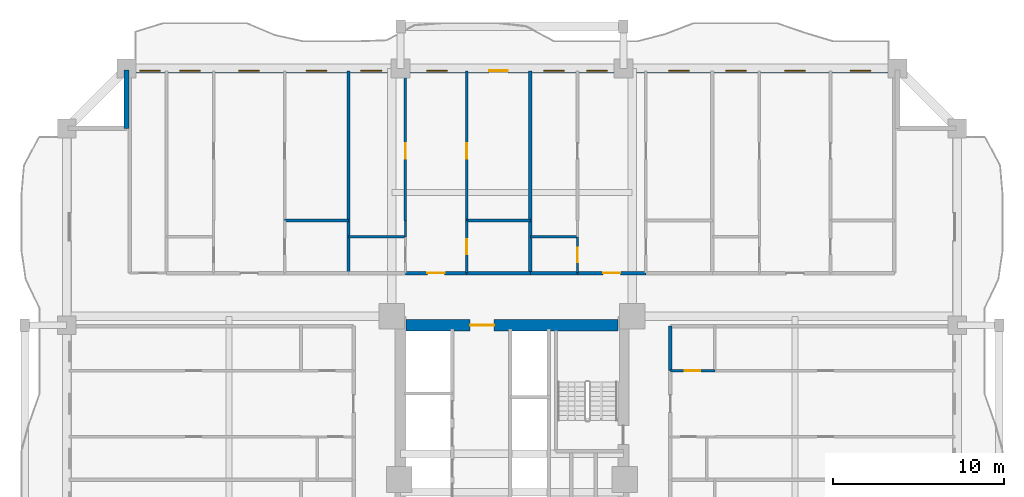
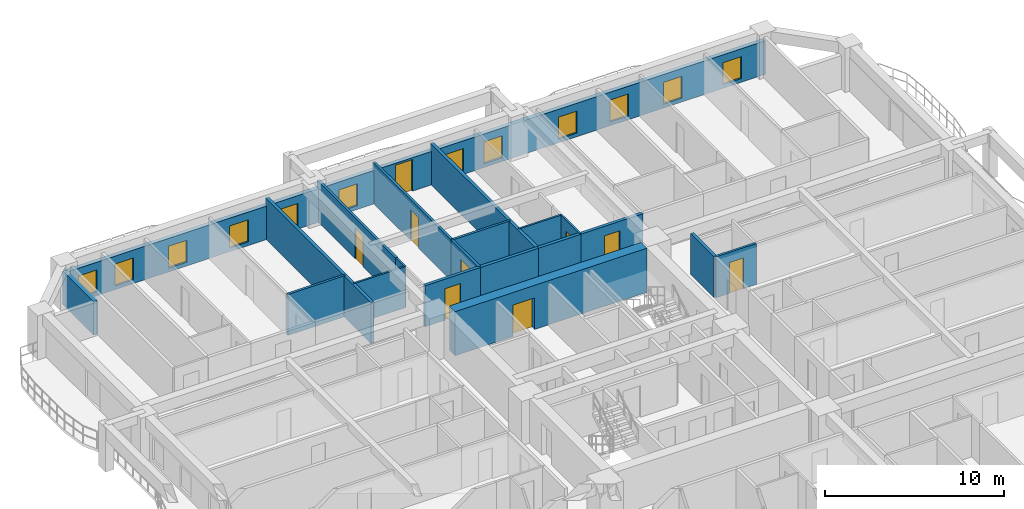
# One storey, part 7 of 16: 20 walls, 12 windows, 9 doors, 21 openings.
"""IFC4 building model written with IfcOpenShell, lengths in metres."""

import ifcopenshell
import ifcopenshell.guid

model = None  # the IFC model being written
_history = None  # IfcOwnerHistory: only IFC2X3 demands one
_inside = {}  # id of a spatial element -> (the spatial element, [elements in it])
_under = {}  # id of a project, library or spatial element -> (it, [spatial elements below it])
_declared = {}  # id of a project -> (the project, [libraries it declares])
_typed = {}  # id of a type object -> (the type object, [elements of that type])
_made_of = {}  # id of a material, layer set ... -> (it, [elements and type objects made of it])


def new_model(schema):
    """Start an empty IFC model of exactly this schema.

    Asked for "IFC4X3", IfcOpenShell would pick the latest addendum, in which some entities
    have other attributes; the version numbers below select the first issue.
    IFC2X3 requires an IfcOwnerHistory on every rooted entity: one is made here for all.
    """
    global model, _history
    if schema == "IFC4X3":
        model = ifcopenshell.file(schema_version=(4, 3, 0, 0))
    else:
        model = ifcopenshell.file(schema=schema)
    _inside.clear()
    _under.clear()
    _declared.clear()
    _typed.clear()
    _made_of.clear()
    _history = None
    if model.schema == "IFC2X3":
        org = make("IfcOrganization", Name="unknown")
        user = make(
            "IfcPersonAndOrganization",
            ThePerson=make("IfcPerson", FamilyName="unknown"),
            TheOrganization=org,
        )
        app = make(
            "IfcApplication",
            ApplicationDeveloper=org,
            Version="unknown",
            ApplicationFullName="unknown",
            ApplicationIdentifier="unknown",
        )
        _history = make(
            "IfcOwnerHistory",
            OwningUser=user,
            OwningApplication=app,
            ChangeAction="ADDED",
            CreationDate=0,
        )
    return model


def make(cls, **values):
    """One entity of the class cls with the attributes given. An attribute that is None is left unset."""
    return model.create_entity(
        cls, **{name: value for name, value in values.items() if value is not None}
    )


def rooted(cls, **values):
    """An entity with a GlobalId (a new one), such as an element, a storey or a relation."""
    return make(cls, GlobalId=ifcopenshell.guid.new(), OwnerHistory=_history, **values)


def si_unit(unit_type, name, prefix=None):
    """IfcSIUnit, for example si_unit("LENGTHUNIT", "METRE", prefix="MILLI")."""
    return make("IfcSIUnit", UnitType=unit_type, Prefix=prefix, Name=name)


def assignment(units):
    """IfcUnitAssignment: the units of a project."""
    return None if units is None else make("IfcUnitAssignment", Units=units)


def point(xyz):
    """IfcCartesianPoint."""
    return None if xyz is None else make("IfcCartesianPoint", Coordinates=xyz)


def direction(xyz):
    """IfcDirection."""
    return None if xyz is None else make("IfcDirection", DirectionRatios=xyz)


def frame(location, z_axis=None, x_axis=None):
    """IfcAxis2Placement3D, a coordinate frame: its origin and axes. An axis left out is left unset."""
    return make(
        "IfcAxis2Placement3D",
        Location=point(location),
        Axis=direction(z_axis),
        RefDirection=direction(x_axis),
    )


def frame_2d(location, x_axis=None):
    """IfcAxis2Placement2D, a coordinate frame in the plane: its origin and x axis."""
    return make(
        "IfcAxis2Placement2D", Location=point(location), RefDirection=direction(x_axis)
    )


def origin():
    """The frame at (0, 0, 0) with its axes left unset."""
    return frame((0.0, 0.0, 0.0))


def place(relative_to, where):
    """IfcLocalPlacement: puts the frame where relative to a parent placement (None: the world)."""
    return make(
        "IfcLocalPlacement", PlacementRelTo=relative_to, RelativePlacement=where
    )


def context(
    kind, dimensions, precision=None, world=None, true_north=None, identifier=None
):
    """IfcGeometricRepresentationContext, for example the 3D "Model" context."""
    return make(
        "IfcGeometricRepresentationContext",
        ContextIdentifier=identifier,
        ContextType=kind,
        CoordinateSpaceDimension=dimensions,
        Precision=precision,
        WorldCoordinateSystem=world,
        TrueNorth=true_north,
    )


def subcontext(parent, identifier, kind, view, scale=None):
    """IfcGeometricRepresentationSubContext, for example "Body" below "Model"."""
    return make(
        "IfcGeometricRepresentationSubContext",
        ContextIdentifier=identifier,
        ContextType=kind,
        ParentContext=parent,
        TargetScale=scale,
        TargetView=view,
    )


def project(units=None, contexts=None):
    """IfcProject with its units and contexts."""
    return rooted(
        "IfcProject",
        Name="project",
        RepresentationContexts=contexts,
        UnitsInContext=assignment(units),
    )


def spatial(cls, under=None, at=None, **own):
    """A site, building, storey or space (cls), placed at a placement, below another one or the project."""
    s = rooted(cls, ObjectPlacement=at, **own)
    if under is not None:
        _under.setdefault(under.id(), (under, []))[1].append(s)
    return s


def profile(cls, at=None, kind="AREA", **sizes):
    """A parametric profile (cls). Its sizes go by their IFC names, for example OverallWidth=200.0."""
    return make(cls, ProfileType=kind, Position=at, **sizes)


def rectangle(**sizes):
    """IfcRectangleProfileDef."""
    return profile("IfcRectangleProfileDef", **sizes)


def extrude(swept, where, along, depth):
    """IfcExtrudedAreaSolid: the profile swept, set in the frame where, extruded along a direction by depth."""
    return make(
        "IfcExtrudedAreaSolid",
        SweptArea=swept,
        Position=where,
        ExtrudedDirection=direction(along),
        Depth=depth,
    )


def shape(context_of_items, identifier, shape_type, items):
    """IfcShapeRepresentation: the items that make up one representation, for example the "Body"."""
    return make(
        "IfcShapeRepresentation",
        ContextOfItems=context_of_items,
        RepresentationIdentifier=identifier,
        RepresentationType=shape_type,
        Items=items,
    )


def source(mapping_origin, context_of_items, identifier, shape_type, items):
    """IfcRepresentationMap: a shape defined once, which mapped items show again and again."""
    return make(
        "IfcRepresentationMap",
        MappingOrigin=mapping_origin,
        MappedRepresentation=shape(context_of_items, identifier, shape_type, items),
    )


def transform(
    local_origin,
    x_axis=None,
    y_axis=None,
    z_axis=None,
    scale=None,
    scale2=None,
    scale3=None,
    uniform=True,
):
    """IfcCartesianTransformationOperator3D, or its non-uniform kind. x_axis, y_axis, z_axis: its Axis1, 2, 3."""
    if uniform:
        return make(
            "IfcCartesianTransformationOperator3D",
            Axis1=direction(x_axis),
            Axis2=direction(y_axis),
            LocalOrigin=point(local_origin),
            Scale=scale,
            Axis3=direction(z_axis),
        )
    return make(
        "IfcCartesianTransformationOperator3DnonUniform",
        Axis1=direction(x_axis),
        Axis2=direction(y_axis),
        LocalOrigin=point(local_origin),
        Scale=scale,
        Axis3=direction(z_axis),
        Scale2=scale2,
        Scale3=scale3,
    )


def mapped(mapping_source, mapping_target):
    """IfcMappedItem: shows the shape of a source again, moved by a transform."""
    return make(
        "IfcMappedItem", MappingSource=mapping_source, MappingTarget=mapping_target
    )


def material(Name=None, Category=None):
    """IfcMaterial."""
    return make("IfcMaterial", Name=Name, Category=Category)


def layer(
    of_material, thickness, ventilated=None, Name=None, Category=None, Priority=None
):
    """IfcMaterialLayer: one layer of a wall or slab, of a material (None: an air gap)."""
    return make(
        "IfcMaterialLayer",
        Material=of_material,
        LayerThickness=thickness,
        IsVentilated=ventilated,
        Name=Name,
        Category=Category,
        Priority=Priority,
    )


def layer_set(layers, Name=None):
    """IfcMaterialLayerSet."""
    return make("IfcMaterialLayerSet", MaterialLayers=layers, LayerSetName=Name)


def made_of(thing, what):
    """Note that an element or type object is made of a material, layer set ...; save() writes the relation."""
    if what is not None:
        _made_of.setdefault(what.id(), (what, []))[1].append(thing)
    return thing


def type_object(cls, material=None, **own):
    """A type object (cls), such as IfcWallType, which elements share."""
    return made_of(rooted(cls, **own), material)


def element(
    cls,
    number,
    at=None,
    inside=None,
    cuts=None,
    type_object=None,
    material=None,
    context=None,
    identifier="Body",
    shape_type=None,
    held_by="IfcProductDefinitionShape",
    body=None,
    shapes=None,
    **own,
):
    """One element of the class cls, such as IfcWall. Its Tag is "e" and its number.

    at: its placement. inside: the storey or other place that contains it. cuts: it is an
    opening in that element (IfcRelVoidsElement). A single representation is given by context,
    identifier, shape_type and body (its items); several are given by shapes. held_by: the class
    of the entity that holds the representations. save() writes the other relations.
    """
    e = rooted(cls, Tag="e%d" % number, ObjectPlacement=at, **own)
    if body is not None:
        shapes = [shape(context, identifier, shape_type, body)]
    if shapes is not None:
        e.Representation = make(held_by, Representations=shapes)
    if inside is not None:
        _inside.setdefault(inside.id(), (inside, []))[1].append(e)
    if cuts is not None:
        rooted(
            "IfcRelVoidsElement", RelatingBuildingElement=cuts, RelatedOpeningElement=e
        )
    if type_object is not None:
        _typed.setdefault(type_object.id(), (type_object, []))[1].append(e)
    return made_of(e, material)


def fill(opening, filler):
    """IfcRelFillsElement: the door or window that sits in an opening."""
    return rooted(
        "IfcRelFillsElement",
        RelatingOpeningElement=opening,
        RelatedBuildingElement=filler,
    )


def aggregate(whole, parts):
    """IfcRelAggregates: a whole, such as a stair, and the parts it consists of."""
    return rooted("IfcRelAggregates", RelatingObject=whole, RelatedObjects=parts)


def save(model, path):
    """Write the relations noted so far, then the file.

    IfcRelAggregates (storeys below a building ...), IfcRelContainedInSpatialStructure (elements
    in a storey), IfcRelDefinesByType, IfcRelAssociatesMaterial and IfcRelDeclares: one each for
    every whole, place, type object, material and project.
    """
    for whole, parts in _under.values():
        aggregate(whole, parts)
    for where, things in _inside.values():
        rooted(
            "IfcRelContainedInSpatialStructure",
            RelatedElements=things,
            RelatingStructure=where,
        )
    for kind, things in _typed.values():
        rooted("IfcRelDefinesByType", RelatedObjects=things, RelatingType=kind)
    for what, things in _made_of.values():
        rooted("IfcRelAssociatesMaterial", RelatedObjects=things, RelatingMaterial=what)
    for by, libraries in _declared.values():
        rooted("IfcRelDeclares", RelatingContext=by, RelatedDefinitions=libraries)
    model.write(path)


model = new_model("IFC4")

# Units and contexts
model_context = context("Model", 3, precision=1e-05, world=origin(), true_north=direction((0.0, 1.0)))
body_context = subcontext(model_context, "Body", "Model", "MODEL_VIEW")
ifc_project = project(units=[si_unit("LENGTHUNIT", "METRE"), si_unit("AREAUNIT", "SQUARE_METRE"), si_unit("VOLUMEUNIT", "CUBIC_METRE"), si_unit("PLANEANGLEUNIT", "RADIAN"), si_unit("MASSUNIT", "GRAM", prefix="KILO")], contexts=[model_context])

# Site, building, storey
site_placement = place(None, origin())
site = spatial("IfcSite", under=ifc_project, at=site_placement, CompositionType="ELEMENT")
building_placement = place(site_placement, origin())
building = spatial("IfcBuilding", under=site, at=building_placement, Name="Saelheon Loggia Tower", CompositionType="ELEMENT")
storey_placement = place(building_placement, frame((0.0, 0.0, 64.39990234375)))
storey = spatial("IfcBuildingStorey", under=building, at=storey_placement, Name="L20", CompositionType="ELEMENT", Elevation=64.39990234375)

# Wall, opening, door
ifc_material_1 = material(Name="Concrete C60/75", Category="concrete")
ifc_layer_1 = layer(ifc_material_1, 0.64990234375)
ifc_layer_set_1 = layer_set([ifc_layer_1], Name="Concrete C60/75")
wall_type_1 = type_object("IfcWallType", Name="Wall_CoreShear_650", PredefinedType="SHEAR", material=ifc_layer_set_1)
wall_1_placement = place(storey_placement, frame((31.824951171875, 36.0, 0.0), z_axis=(0.0, 0.0, 1.0), x_axis=(1.0, 0.0, 0.0)))
wall_1 = element("IfcWall", 1, at=wall_1_placement, inside=storey, type_object=wall_type_1, Name="L20 Core Shear Wall North", PredefinedType="SHEAR", context=body_context, shape_type="SweptSolid", body=[
    extrude(rectangle(XDim=12.35009765625, YDim=0.64990234375, at=frame_2d((6.175048828125, 0.0))), origin(), (0.0, 0.0, 1.0), 3.0),
])
opening_1_placement = place(wall_1_placement, frame((5.125, 0.0, 0.0), z_axis=(0.0, 0.0, 1.0), x_axis=(-1.0, 0.0, 0.0)))
opening_1 = element("IfcOpeningElement", 2, at=opening_1_placement, cuts=wall_1, Name="Opening D-FD2L", PredefinedType="OPENING", context=body_context, shape_type="SweptSolid", body=[
    extrude(rectangle(XDim=1.39990234375, YDim=2.14990234375, at=frame_2d((0.699951171875, 1.074951171875))), frame((0.0, 0.3369140625, 0.0), z_axis=(0.0, -1.0, 0.0), x_axis=(1.0, 0.0, 0.0)), (0.0, 0.0, 1.0), 0.673828125),
])
ifc_material_2 = material(Name="Galvanised Steel Glazed Lobby Fire Door", Category="steel")
door_type_1 = type_object("IfcDoorType", Name="Door_Fire_FD60_1400", OperationType="NOTDEFINED", PredefinedType="DOOR", material=ifc_material_2)
shared_shape_1 = source(origin(), body_context, "Body", "SweptSolid", [
    extrude(rectangle(XDim=1.39990234375, YDim=2.14990234375, at=frame_2d((0.699951171875, 1.074951171875))), frame((0.0, 0.02490234375, 0.0), z_axis=(0.0, -1.0, 0.0), x_axis=(1.0, 0.0, 0.0)), (0.0, 0.0, 1.0), 0.050048828125),
])
door_1_placement = place(opening_1_placement, origin())
door_1 = element("IfcDoor", 3, at=door_1_placement, inside=storey, type_object=door_type_1, Name="L20 Passenger Lift Lobby Main Door", OperationType="SINGLE_SWING_RIGHT", OverallHeight=2.14990234375, OverallWidth=1.39990234375, PredefinedType="DOOR", context=body_context, shape_type="MappedRepresentation", body=[
    mapped(shared_shape_1, transform((0.0, 0.0, 0.0), scale=1.0)),
])
fill(opening_1, door_1)

# Wall, openings, windows, door
ifc_material_3 = material(Name="Architectural Precast Concrete C40/50", Category="concrete")
ifc_layer_2 = layer(ifc_material_3, 0.280029296875)
ifc_layer_set_2 = layer_set([ifc_layer_2], Name="Architectural Precast Concrete C40/50")
wall_type_2 = type_object("IfcWallType", Name="Wall_Ext_Loggia_280", PredefinedType="SOLIDWALL", material=ifc_layer_set_2)
wall_2_placement = place(storey_placement, frame((15.5, 50.860107421875, 0.0), z_axis=(0.0, 0.0, 1.0), x_axis=(1.0, 0.0, 0.0)))
wall_2 = element("IfcWall", 4, at=wall_2_placement, inside=storey, type_object=wall_type_2, Name="L20 North Loggia Inner Wall", PredefinedType="SOLIDWALL", context=body_context, shape_type="SweptSolid", body=[
    extrude(rectangle(XDim=45.0, YDim=0.280029296875, at=frame_2d((22.5, 0.0))), origin(), (0.0, 0.0, 1.0), 2.280029296875),
])
opening_2_placement = place(wall_2_placement, frame((0.760009765625, 0.0, 0.25)))
opening_2 = element("IfcOpeningElement", 5, at=opening_2_placement, cuts=wall_2, Name="Opening WN-03", PredefinedType="OPENING", context=body_context, shape_type="SweptSolid", body=[
    extrude(rectangle(XDim=1.199951171875, YDim=1.5, at=frame_2d((0.60009765625, 0.75))), frame((0.0, 0.152099609375, 0.0), z_axis=(0.0, -1.0, 0.0), x_axis=(1.0, 0.0, 0.0)), (0.0, 0.0, 1.0), 0.303955078125),
])
opening_3_placement = place(wall_2_placement, frame((3.10498046875, 0.0, 0.25)))
opening_3 = element("IfcOpeningElement", 6, at=opening_3_placement, cuts=wall_2, Name="Opening WN-03", PredefinedType="OPENING", context=body_context, shape_type="SweptSolid", body=[
    extrude(rectangle(XDim=1.199951171875, YDim=1.5, at=frame_2d((0.60009765625, 0.75))), frame((0.0, 0.152099609375, 0.0), z_axis=(0.0, -1.0, 0.0), x_axis=(1.0, 0.0, 0.0)), (0.0, 0.0, 1.0), 0.303955078125),
])
opening_4_placement = place(wall_2_placement, frame((6.554931640625, 0.0, 0.25)))
opening_4 = element("IfcOpeningElement", 7, at=opening_4_placement, cuts=wall_2, Name="Opening WN-03", PredefinedType="OPENING", context=body_context, shape_type="SweptSolid", body=[
    extrude(rectangle(XDim=1.199951171875, YDim=1.5, at=frame_2d((0.60009765625, 0.75))), frame((0.0, 0.152099609375, 0.0), z_axis=(0.0, -1.0, 0.0), x_axis=(1.0, 0.0, 0.0)), (0.0, 0.0, 1.0), 0.303955078125),
])
opening_5_placement = place(wall_2_placement, frame((10.4912109375, 0.0, 0.25)))
opening_5 = element("IfcOpeningElement", 8, at=opening_5_placement, cuts=wall_2, Name="Opening WN-03", PredefinedType="OPENING", context=body_context, shape_type="SweptSolid", body=[
    extrude(rectangle(XDim=1.199951171875, YDim=1.5, at=frame_2d((0.60009765625, 0.75))), frame((0.0, 0.152099609375, 0.0), z_axis=(0.0, -1.0, 0.0), x_axis=(1.0, 0.0, 0.0)), (0.0, 0.0, 1.0), 0.303955078125),
])
opening_6_placement = place(wall_2_placement, frame((13.681396484375, 0.0, 0.25)))
opening_6 = element("IfcOpeningElement", 9, at=opening_6_placement, cuts=wall_2, Name="Opening WN-03", PredefinedType="OPENING", context=body_context, shape_type="SweptSolid", body=[
    extrude(rectangle(XDim=1.199951171875, YDim=1.5, at=frame_2d((0.60009765625, 0.75))), frame((0.0, 0.152099609375, 0.0), z_axis=(0.0, -1.0, 0.0), x_axis=(1.0, 0.0, 0.0)), (0.0, 0.0, 1.0), 0.303955078125),
])
opening_7_placement = place(wall_2_placement, frame((17.52099609375, 0.0, 0.25)))
opening_7 = element("IfcOpeningElement", 10, at=opening_7_placement, cuts=wall_2, Name="Opening WN-03", PredefinedType="OPENING", context=body_context, shape_type="SweptSolid", body=[
    extrude(rectangle(XDim=1.199951171875, YDim=1.5, at=frame_2d((0.60009765625, 0.75))), frame((0.0, 0.152099609375, 0.0), z_axis=(0.0, -1.0, 0.0), x_axis=(1.0, 0.0, 0.0)), (0.0, 0.0, 1.0), 0.303955078125),
])
opening_8_placement = place(wall_2_placement, frame((21.16357421875, 0.0, 0.0)))
opening_8 = element("IfcOpeningElement", 11, at=opening_8_placement, cuts=wall_2, Name="Opening TD1", PredefinedType="OPENING", context=body_context, shape_type="SweptSolid", body=[
    extrude(rectangle(XDim=1.10009765625, YDim=2.14990234375, at=frame_2d((0.550048828125, 1.074951171875))), frame((0.0, 0.152099609375, 0.0), z_axis=(0.0, -1.0, 0.0), x_axis=(1.0, 0.0, 0.0)), (0.0, 0.0, 1.0), 0.303955078125),
])
opening_9_placement = place(wall_2_placement, frame((24.35009765625, 0.0, 0.25)))
opening_9 = element("IfcOpeningElement", 12, at=opening_9_placement, cuts=wall_2, Name="Opening WN-03", PredefinedType="OPENING", context=body_context, shape_type="SweptSolid", body=[
    extrude(rectangle(XDim=1.199951171875, YDim=1.5, at=frame_2d((0.60009765625, 0.75))), frame((0.0, 0.152099609375, 0.0), z_axis=(0.0, -1.0, 0.0), x_axis=(1.0, 0.0, 0.0)), (0.0, 0.0, 1.0), 0.303955078125),
])
opening_10_placement = place(wall_2_placement, frame((26.867431640625, 0.0, 0.25)))
opening_10 = element("IfcOpeningElement", 13, at=opening_10_placement, cuts=wall_2, Name="Opening WN-03", PredefinedType="OPENING", context=body_context, shape_type="SweptSolid", body=[
    extrude(rectangle(XDim=1.199951171875, YDim=1.5, at=frame_2d((0.60009765625, 0.75))), frame((0.0, 0.152099609375, 0.0), z_axis=(0.0, -1.0, 0.0), x_axis=(1.0, 0.0, 0.0)), (0.0, 0.0, 1.0), 0.303955078125),
])
opening_11_placement = place(wall_2_placement, frame((31.65869140625, 0.0, 0.25)))
opening_11 = element("IfcOpeningElement", 14, at=opening_11_placement, cuts=wall_2, Name="Opening WN-03", PredefinedType="OPENING", context=body_context, shape_type="SweptSolid", body=[
    extrude(rectangle(XDim=1.199951171875, YDim=1.5, at=frame_2d((0.60009765625, 0.75))), frame((0.0, 0.152099609375, 0.0), z_axis=(0.0, -1.0, 0.0), x_axis=(1.0, 0.0, 0.0)), (0.0, 0.0, 1.0), 0.303955078125),
])
opening_12_placement = place(wall_2_placement, frame((34.972412109375, 0.0, 0.25)))
opening_12 = element("IfcOpeningElement", 15, at=opening_12_placement, cuts=wall_2, Name="Opening WN-03", PredefinedType="OPENING", context=body_context, shape_type="SweptSolid", body=[
    extrude(rectangle(XDim=1.199951171875, YDim=1.5, at=frame_2d((0.60009765625, 0.75))), frame((0.0, 0.152099609375, 0.0), z_axis=(0.0, -1.0, 0.0), x_axis=(1.0, 0.0, 0.0)), (0.0, 0.0, 1.0), 0.303955078125),
])
opening_13_placement = place(wall_2_placement, frame((38.42236328125, 0.0, 0.25)))
opening_13 = element("IfcOpeningElement", 16, at=opening_13_placement, cuts=wall_2, Name="Opening WN-03", PredefinedType="OPENING", context=body_context, shape_type="SweptSolid", body=[
    extrude(rectangle(XDim=1.199951171875, YDim=1.5, at=frame_2d((0.60009765625, 0.75))), frame((0.0, 0.152099609375, 0.0), z_axis=(0.0, -1.0, 0.0), x_axis=(1.0, 0.0, 0.0)), (0.0, 0.0, 1.0), 0.303955078125),
])
opening_14_placement = place(wall_2_placement, frame((42.253662109375, 0.0, 0.25)))
opening_14 = element("IfcOpeningElement", 17, at=opening_14_placement, cuts=wall_2, Name="Opening WN-03", PredefinedType="OPENING", context=body_context, shape_type="SweptSolid", body=[
    extrude(rectangle(XDim=1.199951171875, YDim=1.5, at=frame_2d((0.60009765625, 0.75))), frame((0.0, 0.152099609375, 0.0), z_axis=(0.0, -1.0, 0.0), x_axis=(1.0, 0.0, 0.0)), (0.0, 0.0, 1.0), 0.303955078125),
])
ifc_material_4 = material(Name="Thermal-Break Aluminium and Triple Low-E Glass", Category="aluminium")
window_type = type_object("IfcWindowType", Name="Win_Bedroom_1200x1500", PartitioningType="SINGLE_PANEL", PredefinedType="WINDOW", material=ifc_material_4)
shared_shape_2 = source(origin(), body_context, "Body", "SweptSolid", [
    extrude(rectangle(XDim=1.199951171875, YDim=1.5, at=frame_2d((0.60009765625, 0.75))), frame((0.0, 0.030029296875, 0.0), z_axis=(0.0, -1.0, 0.0), x_axis=(1.0, 0.0, 0.0)), (0.0, 0.0, 1.0), 0.06005859375),
])
window_1_placement = place(opening_2_placement, origin())
window_1 = element("IfcWindow", 18, at=window_1_placement, inside=storey, type_object=window_type, Name="L20 N Dwelling Window 1", OverallHeight=1.5, OverallWidth=1.199951171875, PartitioningType="SINGLE_PANEL", PredefinedType="WINDOW", context=body_context, shape_type="MappedRepresentation", body=[
    mapped(shared_shape_2, transform((0.0, 0.0, 0.0), scale=1.0)),
])
fill(opening_2, window_1)
window_2_placement = place(opening_3_placement, origin())
window_2 = element("IfcWindow", 19, at=window_2_placement, inside=storey, type_object=window_type, Name="L20 N Dwelling Window 2", OverallHeight=1.5, OverallWidth=1.199951171875, PartitioningType="SINGLE_PANEL", PredefinedType="WINDOW", context=body_context, shape_type="MappedRepresentation", body=[
    mapped(shared_shape_2, transform((0.0, 0.0, 0.0), scale=1.0)),
])
fill(opening_3, window_2)
window_3_placement = place(opening_4_placement, origin())
window_3 = element("IfcWindow", 20, at=window_3_placement, inside=storey, type_object=window_type, Name="L20 N Dwelling Window 3", OverallHeight=1.5, OverallWidth=1.199951171875, PartitioningType="SINGLE_PANEL", PredefinedType="WINDOW", context=body_context, shape_type="MappedRepresentation", body=[
    mapped(shared_shape_2, transform((0.0, 0.0, 0.0), scale=1.0)),
])
fill(opening_4, window_3)
window_4_placement = place(opening_5_placement, origin())
window_4 = element("IfcWindow", 21, at=window_4_placement, inside=storey, type_object=window_type, Name="L20 N Dwelling Window 4", OverallHeight=1.5, OverallWidth=1.199951171875, PartitioningType="SINGLE_PANEL", PredefinedType="WINDOW", context=body_context, shape_type="MappedRepresentation", body=[
    mapped(shared_shape_2, transform((0.0, 0.0, 0.0), scale=1.0)),
])
fill(opening_5, window_4)
window_5_placement = place(opening_6_placement, origin())
window_5 = element("IfcWindow", 22, at=window_5_placement, inside=storey, type_object=window_type, Name="L20 N Dwelling Window 5", OverallHeight=1.5, OverallWidth=1.199951171875, PartitioningType="SINGLE_PANEL", PredefinedType="WINDOW", context=body_context, shape_type="MappedRepresentation", body=[
    mapped(shared_shape_2, transform((0.0, 0.0, 0.0), scale=1.0)),
])
fill(opening_6, window_5)
window_6_placement = place(opening_7_placement, origin())
window_6 = element("IfcWindow", 23, at=window_6_placement, inside=storey, type_object=window_type, Name="L20 N Dwelling Window 6", OverallHeight=1.5, OverallWidth=1.199951171875, PartitioningType="SINGLE_PANEL", PredefinedType="WINDOW", context=body_context, shape_type="MappedRepresentation", body=[
    mapped(shared_shape_2, transform((0.0, 0.0, 0.0), scale=1.0)),
])
fill(opening_7, window_6)
window_7_placement = place(opening_9_placement, origin())
window_7 = element("IfcWindow", 24, at=window_7_placement, inside=storey, type_object=window_type, Name="L20 N Dwelling Window 8", OverallHeight=1.5, OverallWidth=1.199951171875, PartitioningType="SINGLE_PANEL", PredefinedType="WINDOW", context=body_context, shape_type="MappedRepresentation", body=[
    mapped(shared_shape_2, transform((0.0, 0.0, 0.0), scale=1.0)),
])
fill(opening_9, window_7)
window_8_placement = place(opening_10_placement, origin())
window_8 = element("IfcWindow", 25, at=window_8_placement, inside=storey, type_object=window_type, Name="L20 N Dwelling Window 9", OverallHeight=1.5, OverallWidth=1.199951171875, PartitioningType="SINGLE_PANEL", PredefinedType="WINDOW", context=body_context, shape_type="MappedRepresentation", body=[
    mapped(shared_shape_2, transform((0.0, 0.0, 0.0), scale=1.0)),
])
fill(opening_10, window_8)
window_9_placement = place(opening_11_placement, origin())
window_9 = element("IfcWindow", 26, at=window_9_placement, inside=storey, type_object=window_type, Name="L20 N Dwelling Window 10", OverallHeight=1.5, OverallWidth=1.199951171875, PartitioningType="SINGLE_PANEL", PredefinedType="WINDOW", context=body_context, shape_type="MappedRepresentation", body=[
    mapped(shared_shape_2, transform((0.0, 0.0, 0.0), scale=1.0)),
])
fill(opening_11, window_9)
window_10_placement = place(opening_12_placement, origin())
window_10 = element("IfcWindow", 27, at=window_10_placement, inside=storey, type_object=window_type, Name="L20 N Dwelling Window 11", OverallHeight=1.5, OverallWidth=1.199951171875, PartitioningType="SINGLE_PANEL", PredefinedType="WINDOW", context=body_context, shape_type="MappedRepresentation", body=[
    mapped(shared_shape_2, transform((0.0, 0.0, 0.0), scale=1.0)),
])
fill(opening_12, window_10)
window_11_placement = place(opening_13_placement, origin())
window_11 = element("IfcWindow", 28, at=window_11_placement, inside=storey, type_object=window_type, Name="L20 N Dwelling Window 12", OverallHeight=1.5, OverallWidth=1.199951171875, PartitioningType="SINGLE_PANEL", PredefinedType="WINDOW", context=body_context, shape_type="MappedRepresentation", body=[
    mapped(shared_shape_2, transform((0.0, 0.0, 0.0), scale=1.0)),
])
fill(opening_13, window_11)
window_12_placement = place(opening_14_placement, origin())
window_12 = element("IfcWindow", 29, at=window_12_placement, inside=storey, type_object=window_type, Name="L20 N Dwelling Window 13", OverallHeight=1.5, OverallWidth=1.199951171875, PartitioningType="SINGLE_PANEL", PredefinedType="WINDOW", context=body_context, shape_type="MappedRepresentation", body=[
    mapped(shared_shape_2, transform((0.0, 0.0, 0.0), scale=1.0)),
])
fill(opening_14, window_12)
ifc_material_5 = material(Name="Thermal-Break Aluminium Glazed Door", Category="aluminium")
door_type_2 = type_object("IfcDoorType", Name="Door_Terrace_TD1", OperationType="NOTDEFINED", PredefinedType="DOOR", material=ifc_material_5)
shared_shape_3 = source(origin(), body_context, "Body", "SweptSolid", [
    extrude(rectangle(XDim=1.10009765625, YDim=2.14990234375, at=frame_2d((0.550048828125, 1.074951171875))), frame((0.0, 0.02490234375, 0.0), z_axis=(0.0, -1.0, 0.0), x_axis=(1.0, 0.0, 0.0)), (0.0, 0.0, 1.0), 0.050048828125),
])
door_2_placement = place(opening_8_placement, origin())
door_2 = element("IfcDoor", 30, at=door_2_placement, inside=storey, type_object=door_type_2, Name="L20 N Loggia Access Door", OperationType="SINGLE_SWING_LEFT", OverallHeight=2.14990234375, OverallWidth=1.10009765625, PredefinedType="DOOR", context=body_context, shape_type="MappedRepresentation", body=[
    mapped(shared_shape_3, transform((0.0, 0.0, 0.0), scale=1.0)),
])
fill(opening_8, door_2)

# Walls
wall_3_placement = place(storey_placement, frame((15.5, 47.5, 0.0), z_axis=(0.0, 0.0, 1.0), x_axis=(0.0, 1.0, 0.0)))
element("IfcWall", 31, at=wall_3_placement, inside=storey, type_object=wall_type_2, Name="L20 Corner Notch Precast Wall NW1", PredefinedType="SOLIDWALL", context=body_context, shape_type="SweptSolid", body=[
    extrude(rectangle(XDim=3.419921875, YDim=0.280029296875, at=frame_2d((1.7099609375, 0.0))), origin(), (0.0, 0.0, 1.0), 2.280029296875),
])
ifc_material_6 = material(Name="Lightweight Autoclaved Aerated Concrete Block and Acoustic Gypsum", Category="concrete")
ifc_layer_3 = layer(ifc_material_6, 0.14990234375)
ifc_layer_set_3 = layer_set([ifc_layer_3], Name="Lightweight Autoclaved Aerated Concrete Block and Acoustic Gypsum")
wall_type_3 = type_object("IfcWallType", Name="Wall_Part_150", PredefinedType="PARTITIONING", material=ifc_layer_set_3)
for number, where, z_axis, x_axis, name in (
    (32, (24.729736328125, 42.1201171875, 0.0), (0.0, 0.0, 1.0), (1.0, 0.0, 0.0), "L20 N Partition V09"),
    (33, (35.352294921875, 42.1201171875, 0.0), (0.0, 0.0, 1.0), (1.0, 0.0, 0.0), "L20 N Partition V20"),
):
    element("IfcWall", number, at=place(storey_placement, frame(where, z_axis=z_axis, x_axis=x_axis)), inside=storey, type_object=wall_type_3, Name=name, PredefinedType="PARTITIONING", context=body_context, shape_type="SweptSolid", body=[
        extrude(rectangle(XDim=3.72265625, YDim=0.14990234375, at=frame_2d((1.861328125, 0.0))), origin(), (0.0, 0.0, 1.0), 2.7900390625),
    ])

# Wall, opening, door
wall_4_placement = place(storey_placement, frame((31.780029296875, 42.1201171875, 0.0), z_axis=(0.0, 0.0, 1.0), x_axis=(0.0, 1.0, 0.0)))
wall_4 = element("IfcWall", 34, at=wall_4_placement, inside=storey, type_object=wall_type_3, Name="L20 N Partition U23", PredefinedType="PARTITIONING", context=body_context, shape_type="SweptSolid", body=[
    extrude(rectangle(XDim=8.72998046875, YDim=0.14990234375, at=frame_2d((4.364990234375, 0.0))), origin(), (0.0, 0.0, 1.0), 2.7900390625),
])
opening_15_placement = place(wall_4_placement, frame((3.60888671875, 0.0, 0.0)))
opening_15 = element("IfcOpeningElement", 35, at=opening_15_placement, cuts=wall_4, Name="Opening D-IN2", PredefinedType="OPENING", context=body_context, shape_type="SweptSolid", body=[
    extrude(rectangle(XDim=0.89990234375, YDim=2.10009765625, at=frame_2d((0.449951171875, 1.050048828125))), frame((0.0, 0.0869140625, 0.0), z_axis=(0.0, -1.0, 0.0), x_axis=(1.0, 0.0, 0.0)), (0.0, 0.0, 1.0), 0.173828125),
])
ifc_material_7 = material(Name="Engineered Oak Flush Door", Category="timber")
door_type_3 = type_object("IfcDoorType", Name="Door_Int_900", OperationType="NOTDEFINED", PredefinedType="DOOR", material=ifc_material_7)
shared_shape_4 = source(origin(), body_context, "Body", "SweptSolid", [
    extrude(rectangle(XDim=0.89990234375, YDim=2.10009765625, at=frame_2d((0.449951171875, 1.050048828125))), frame((0.0, 0.02490234375, 0.0), z_axis=(0.0, -1.0, 0.0), x_axis=(1.0, 0.0, 0.0)), (0.0, 0.0, 1.0), 0.050048828125),
])
door_3_placement = place(opening_15_placement, origin())
door_3 = element("IfcDoor", 36, at=door_3_placement, inside=storey, type_object=door_type_3, Name="Unit U06 Kitchen Door", OperationType="SINGLE_SWING_RIGHT", OverallHeight=2.10009765625, OverallWidth=0.89990234375, PredefinedType="DOOR", context=body_context, shape_type="MappedRepresentation", body=[
    mapped(shared_shape_4, transform((0.0, 0.0, 0.0), scale=1.0)),
])
fill(opening_15, door_3)

wall_5_placement = place(storey_placement, frame((35.352294921875, 39.050048828125, 0.0), z_axis=(0.0, 0.0, 1.0), x_axis=(0.0, 1.0, 0.0)))
wall_5 = element("IfcWall", 37, at=wall_5_placement, inside=storey, type_object=wall_type_3, Name="L20 N Partition U24", PredefinedType="PARTITIONING", context=body_context, shape_type="SweptSolid", body=[
    extrude(rectangle(XDim=3.070068359375, YDim=0.14990234375, at=frame_2d((1.53515625, 0.0))), origin(), (0.0, 0.0, 1.0), 2.7900390625),
])
opening_16_placement = place(wall_5_placement, frame((1.0849609375, 0.0, 0.0)))
opening_16 = element("IfcOpeningElement", 38, at=opening_16_placement, cuts=wall_5, Name="Opening D-IN2", PredefinedType="OPENING", context=body_context, shape_type="SweptSolid", body=[
    extrude(rectangle(XDim=0.89990234375, YDim=2.10009765625, at=frame_2d((0.449951171875, 1.050048828125))), frame((0.0, 0.0869140625, 0.0), z_axis=(0.0, -1.0, 0.0), x_axis=(1.0, 0.0, 0.0)), (0.0, 0.0, 1.0), 0.173828125),
])
door_4_placement = place(opening_16_placement, origin())
door_4 = element("IfcDoor", 39, at=door_4_placement, inside=storey, type_object=door_type_3, Name="Unit U06 Dressing Closet Door", OperationType="SINGLE_SWING_LEFT", OverallHeight=2.10009765625, OverallWidth=0.89990234375, PredefinedType="DOOR", context=body_context, shape_type="MappedRepresentation", body=[
    mapped(shared_shape_4, transform((0.0, 0.0, 0.0), scale=1.0)),
])
fill(opening_16, door_4)

wall_6_placement = place(storey_placement, frame((35.352294921875, 42.1201171875, 0.0), z_axis=(0.0, 0.0, 1.0), x_axis=(0.0, 1.0, 0.0)))
wall_6 = element("IfcWall", 40, at=wall_6_placement, inside=storey, type_object=wall_type_3, Name="L20 N Partition U25", PredefinedType="PARTITIONING", context=body_context, shape_type="SweptSolid", body=[
    extrude(rectangle(XDim=8.72998046875, YDim=0.14990234375, at=frame_2d((4.364990234375, 0.0))), origin(), (0.0, 0.0, 1.0), 2.7900390625),
])
opening_17_placement = place(wall_6_placement, frame((3.60888671875, 0.0, 0.0)))
opening_17 = element("IfcOpeningElement", 41, at=opening_17_placement, cuts=wall_6, Name="Opening D-IN2", PredefinedType="OPENING", context=body_context, shape_type="SweptSolid", body=[
    extrude(rectangle(XDim=0.89990234375, YDim=2.10009765625, at=frame_2d((0.449951171875, 1.050048828125))), frame((0.0, 0.0869140625, 0.0), z_axis=(0.0, -1.0, 0.0), x_axis=(1.0, 0.0, 0.0)), (0.0, 0.0, 1.0), 0.173828125),
])
door_5_placement = place(opening_17_placement, origin())
door_5 = element("IfcDoor", 42, at=door_5_placement, inside=storey, type_object=door_type_3, Name="Unit U06 Bedroom 1 Door", OperationType="SINGLE_SWING_RIGHT", OverallHeight=2.10009765625, OverallWidth=0.89990234375, PredefinedType="DOOR", context=body_context, shape_type="MappedRepresentation", body=[
    mapped(shared_shape_4, transform((0.0, 0.0, 0.0), scale=1.0)),
])
fill(opening_17, door_5)

wall_7_placement = place(storey_placement, frame((47.25, 33.35009765625, 0.0), z_axis=(0.0, 0.0, 1.0), x_axis=(1.0, 0.0, 0.0)))
wall_7 = element("IfcWall", 43, at=wall_7_placement, inside=storey, type_object=wall_type_3, Name="L20 E Partition U22", PredefinedType="PARTITIONING", context=body_context, shape_type="SweptSolid", body=[
    extrude(rectangle(XDim=2.590087890625, YDim=0.14990234375, at=frame_2d((1.294921875, 0.0))), origin(), (0.0, 0.0, 1.0), 2.7900390625),
])
opening_18_placement = place(wall_7_placement, frame((0.844970703125, 0.0, 0.0)))
opening_18 = element("IfcOpeningElement", 44, at=opening_18_placement, cuts=wall_7, Name="Opening D-IN2", PredefinedType="OPENING", context=body_context, shape_type="SweptSolid", body=[
    extrude(rectangle(XDim=0.89990234375, YDim=2.10009765625, at=frame_2d((0.449951171875, 1.050048828125))), frame((0.0, 0.0869140625, 0.0), z_axis=(0.0, -1.0, 0.0), x_axis=(1.0, 0.0, 0.0)), (0.0, 0.0, 1.0), 0.173828125),
])
door_6_placement = place(opening_18_placement, origin())
door_6 = element("IfcDoor", 45, at=door_6_placement, inside=storey, type_object=door_type_3, Name="Unit U12 Dressing Closet Door", OperationType="SINGLE_SWING_LEFT", OverallHeight=2.10009765625, OverallWidth=0.89990234375, PredefinedType="DOOR", context=body_context, shape_type="MappedRepresentation", body=[
    mapped(shared_shape_4, transform((0.0, 0.0, 0.0), scale=1.0)),
])
fill(opening_18, door_6)

# Wall
ifc_material_8 = material(Name="Double Acoustic Stud and Fireboard Partition", Category="gypsum")
ifc_layer_4 = layer(ifc_material_8, 0.199951171875)
ifc_layer_set_4 = layer_set([ifc_layer_4], Name="Double Acoustic Stud and Fireboard Partition")
wall_type_4 = type_object("IfcWallType", Name="Wall_Party_200", PredefinedType="PARTITIONING", material=ifc_layer_set_4)
wall_8_placement = place(storey_placement, frame((28.452392578125, 39.050048828125, 0.0), z_axis=(0.0, 0.0, 1.0), x_axis=(0.0, 1.0, 0.0)))
element("IfcWall", 46, at=wall_8_placement, inside=storey, type_object=wall_type_4, Name="L20 N Partition U15", PredefinedType="PARTITIONING", context=body_context, shape_type="SweptSolid", body=[
    extrude(rectangle(XDim=11.800048828125, YDim=0.199951171875, at=frame_2d((5.89990234375, 0.0))), origin(), (0.0, 0.0, 1.0), 2.7900390625),
])

# Wall, opening, door
wall_9_placement = place(storey_placement, frame((31.780029296875, 39.050048828125, 0.0), z_axis=(0.0, 0.0, 1.0), x_axis=(1.0, 0.0, 0.0)))
wall_9 = element("IfcWall", 47, at=wall_9_placement, inside=storey, type_object=wall_type_4, Name="L20 N Partition V17", PredefinedType="PARTITIONING", context=body_context, shape_type="SweptSolid", body=[
    extrude(rectangle(XDim=3.572265625, YDim=0.199951171875, at=frame_2d((1.7861328125, 0.0))), origin(), (0.0, 0.0, 1.0), 2.7900390625),
])
opening_19_placement = place(wall_9_placement, frame((1.2861328125, 0.0, 0.0)))
opening_19 = element("IfcOpeningElement", 48, at=opening_19_placement, cuts=wall_9, Name="Opening D-FD1", PredefinedType="OPENING", context=body_context, shape_type="SweptSolid", body=[
    extrude(rectangle(XDim=1.0, YDim=2.14990234375, at=frame_2d((0.5, 1.074951171875))), frame((0.0, 0.112060546875, 0.0), z_axis=(0.0, -1.0, 0.0), x_axis=(1.0, 0.0, 0.0)), (0.0, 0.0, 1.0), 0.223876953125),
])
ifc_material_9 = material(Name="Fire-Rated Engineered Timber Entrance Door", Category="wood")
door_type_4 = type_object("IfcDoorType", Name="Door_Flat_FD30S", OperationType="NOTDEFINED", PredefinedType="DOOR", material=ifc_material_9)
shared_shape_5 = source(origin(), body_context, "Body", "SweptSolid", [
    extrude(rectangle(XDim=1.0, YDim=2.14990234375, at=frame_2d((0.5, 1.074951171875))), frame((0.0, 0.02490234375, 0.0), z_axis=(0.0, -1.0, 0.0), x_axis=(1.0, 0.0, 0.0)), (0.0, 0.0, 1.0), 0.050048828125),
])
door_7_placement = place(opening_19_placement, origin())
door_7 = element("IfcDoor", 49, at=door_7_placement, inside=storey, type_object=door_type_4, Name="Unit U06 Entrance Door", OperationType="SINGLE_SWING_RIGHT", OverallHeight=2.14990234375, OverallWidth=1.0, PredefinedType="DOOR", context=body_context, shape_type="MappedRepresentation", body=[
    mapped(shared_shape_5, transform((0.0, 0.0, 0.0), scale=1.0)),
])
fill(opening_19, door_7)

# Walls
wall_10_placement = place(storey_placement, frame((35.352294921875, 39.050048828125, 0.0), z_axis=(0.0, 0.0, 1.0), x_axis=(1.0, 0.0, 0.0)))
element("IfcWall", 50, at=wall_10_placement, inside=storey, type_object=wall_type_4, Name="L20 N Partition V18", PredefinedType="PARTITIONING", context=body_context, shape_type="SweptSolid", body=[
    extrude(rectangle(XDim=3.72265625, YDim=0.199951171875, at=frame_2d((1.861328125, 0.0))), origin(), (0.0, 0.0, 1.0), 2.7900390625),
])
wall_11_placement = place(storey_placement, frame((39.074951171875, 39.050048828125, 0.0), z_axis=(0.0, 0.0, 1.0), x_axis=(0.0, 1.0, 0.0)))
element("IfcWall", 51, at=wall_11_placement, inside=storey, type_object=wall_type_4, Name="L20 N Partition U26", PredefinedType="PARTITIONING", context=body_context, shape_type="SweptSolid", body=[
    extrude(rectangle(XDim=11.800048828125, YDim=0.199951171875, at=frame_2d((5.89990234375, 0.0))), origin(), (0.0, 0.0, 1.0), 2.7900390625),
])
wall_12_placement = place(storey_placement, frame((39.074951171875, 39.050048828125, 0.0), z_axis=(0.0, 0.0, 1.0), x_axis=(1.0, 0.0, 0.0)))
element("IfcWall", 52, at=wall_12_placement, inside=storey, type_object=wall_type_4, Name="L20 N Partition V27", PredefinedType="PARTITIONING", context=body_context, shape_type="SweptSolid", body=[
    extrude(rectangle(XDim=2.75, YDim=0.199951171875, at=frame_2d((1.375, 0.0))), origin(), (0.0, 0.0, 1.0), 2.7900390625),
])

# Wall, opening, door
wall_13_placement = place(storey_placement, frame((41.824951171875, 39.050048828125, 0.0), z_axis=(0.0, 0.0, 1.0), x_axis=(1.0, 0.0, 0.0)))
wall_13 = element("IfcWall", 53, at=wall_13_placement, inside=storey, type_object=wall_type_4, Name="L20 N Partition V28", PredefinedType="PARTITIONING", context=body_context, shape_type="SweptSolid", body=[
    extrude(rectangle(XDim=3.9951171875, YDim=0.199951171875, at=frame_2d((1.99755859375, 0.0))), origin(), (0.0, 0.0, 1.0), 2.7900390625),
])
opening_20_placement = place(wall_13_placement, frame((1.49755859375, 0.0, 0.0)))
opening_20 = element("IfcOpeningElement", 54, at=opening_20_placement, cuts=wall_13, Name="Opening D-FD1", PredefinedType="OPENING", context=body_context, shape_type="SweptSolid", body=[
    extrude(rectangle(XDim=1.0, YDim=2.14990234375, at=frame_2d((0.5, 1.074951171875))), frame((0.0, 0.112060546875, 0.0), z_axis=(0.0, -1.0, 0.0), x_axis=(1.0, 0.0, 0.0)), (0.0, 0.0, 1.0), 0.223876953125),
])
door_8_placement = place(opening_20_placement, origin())
door_8 = element("IfcDoor", 55, at=door_8_placement, inside=storey, type_object=door_type_4, Name="Unit U07 Entrance Door", OperationType="SINGLE_SWING_LEFT", OverallHeight=2.14990234375, OverallWidth=1.0, PredefinedType="DOOR", context=body_context, shape_type="MappedRepresentation", body=[
    mapped(shared_shape_5, transform((0.0, 0.0, 0.0), scale=1.0)),
])
fill(opening_20, door_8)

# Walls
wall_14_placement = place(storey_placement, frame((47.25, 33.35009765625, 0.0), z_axis=(0.0, 0.0, 1.0), x_axis=(0.0, 1.0, 0.0)))
element("IfcWall", 56, at=wall_14_placement, inside=storey, type_object=wall_type_4, Name="L20 E Partition V16", PredefinedType="PARTITIONING", context=body_context, shape_type="SweptSolid", body=[
    extrude(rectangle(XDim=2.599853515625, YDim=0.199951171875, at=frame_2d((1.2998046875, 0.0))), origin(), (0.0, 0.0, 1.0), 2.7900390625),
])
ifc_material_10 = material(Name="Moisture-Resistant Cement Board Partition", Category="gypsum")
ifc_layer_5 = layer(ifc_material_10, 0.1201171875)
ifc_layer_set_5 = layer_set([ifc_layer_5], Name="Moisture-Resistant Cement Board Partition")
wall_type_5 = type_object("IfcWallType", Name="Wall_WetPart_120", PredefinedType="PARTITIONING", material=ifc_layer_set_5)
wall_15_placement = place(storey_placement, frame((28.452392578125, 41.169921875, 0.0), z_axis=(0.0, 0.0, 1.0), x_axis=(1.0, 0.0, 0.0)))
element("IfcWall", 57, at=wall_15_placement, inside=storey, type_object=wall_type_5, Name="L20 N Partition V19", PredefinedType="PARTITIONING", context=body_context, shape_type="SweptSolid", body=[
    extrude(rectangle(XDim=3.32763671875, YDim=0.1201171875, at=frame_2d((1.663818359375, 0.0))), origin(), (0.0, 0.0, 1.0), 2.7900390625),
])
wall_16_placement = place(storey_placement, frame((31.780029296875, 41.169921875, 0.0), z_axis=(0.0, 0.0, 1.0), x_axis=(0.0, 1.0, 0.0)))
element("IfcWall", 58, at=wall_16_placement, inside=storey, type_object=wall_type_5, Name="L20 N Partition U22", PredefinedType="PARTITIONING", context=body_context, shape_type="SweptSolid", body=[
    extrude(rectangle(XDim=0.9501953125, YDim=0.1201171875, at=frame_2d((0.47509765625, 0.0))), origin(), (0.0, 0.0, 1.0), 2.7900390625),
])
wall_17_placement = place(storey_placement, frame((39.074951171875, 41.169921875, 0.0), z_axis=(0.0, 0.0, 1.0), x_axis=(1.0, 0.0, 0.0)))
element("IfcWall", 59, at=wall_17_placement, inside=storey, type_object=wall_type_5, Name="L20 N Partition V30", PredefinedType="PARTITIONING", context=body_context, shape_type="SweptSolid", body=[
    extrude(rectangle(XDim=2.75, YDim=0.1201171875, at=frame_2d((1.375, 0.0))), origin(), (0.0, 0.0, 1.0), 2.7900390625),
])

# Wall, opening, door
wall_18_placement = place(storey_placement, frame((41.824951171875, 39.050048828125, 0.0), z_axis=(0.0, 0.0, 1.0), x_axis=(0.0, 1.0, 0.0)))
wall_18 = element("IfcWall", 60, at=wall_18_placement, inside=storey, type_object=wall_type_5, Name="L20 N Partition U32", PredefinedType="PARTITIONING", context=body_context, shape_type="SweptSolid", body=[
    extrude(rectangle(XDim=2.119873046875, YDim=0.1201171875, at=frame_2d((1.06005859375, 0.0))), origin(), (0.0, 0.0, 1.0), 2.7900390625),
])
opening_21_placement = place(wall_18_placement, frame((0.635009765625, 0.0, 0.0)))
opening_21 = element("IfcOpeningElement", 61, at=opening_21_placement, cuts=wall_18, Name="Opening D-BT1", PredefinedType="OPENING", context=body_context, shape_type="SweptSolid", body=[
    extrude(rectangle(XDim=0.85009765625, YDim=2.050048828125, at=frame_2d((0.425048828125, 1.02490234375))), frame((0.0, 0.072021484375, 0.0), z_axis=(0.0, -1.0, 0.0), x_axis=(1.0, 0.0, 0.0)), (0.0, 0.0, 1.0), 0.14404296875),
])
ifc_material_11 = material(Name="Moisture-Resistant Laminate Timber Door", Category="wood")
door_type_5 = type_object("IfcDoorType", Name="Door_Bath_850", OperationType="NOTDEFINED", PredefinedType="DOOR", material=ifc_material_11)
shared_shape_6 = source(origin(), body_context, "Body", "SweptSolid", [
    extrude(rectangle(XDim=0.85009765625, YDim=2.050048828125, at=frame_2d((0.425048828125, 1.02490234375))), frame((0.0, 0.02490234375, 0.0), z_axis=(0.0, -1.0, 0.0), x_axis=(1.0, 0.0, 0.0)), (0.0, 0.0, 1.0), 0.050048828125),
])
door_9_placement = place(opening_21_placement, origin())
door_9 = element("IfcDoor", 62, at=door_9_placement, inside=storey, type_object=door_type_5, Name="Unit U07 Bathroom Door", OperationType="SINGLE_SWING_RIGHT", OverallHeight=2.050048828125, OverallWidth=0.85009765625, PredefinedType="DOOR", context=body_context, shape_type="MappedRepresentation", body=[
    mapped(shared_shape_6, transform((0.0, 0.0, 0.0), scale=1.0)),
])
fill(opening_21, door_9)

save(model, "model.ifc")
